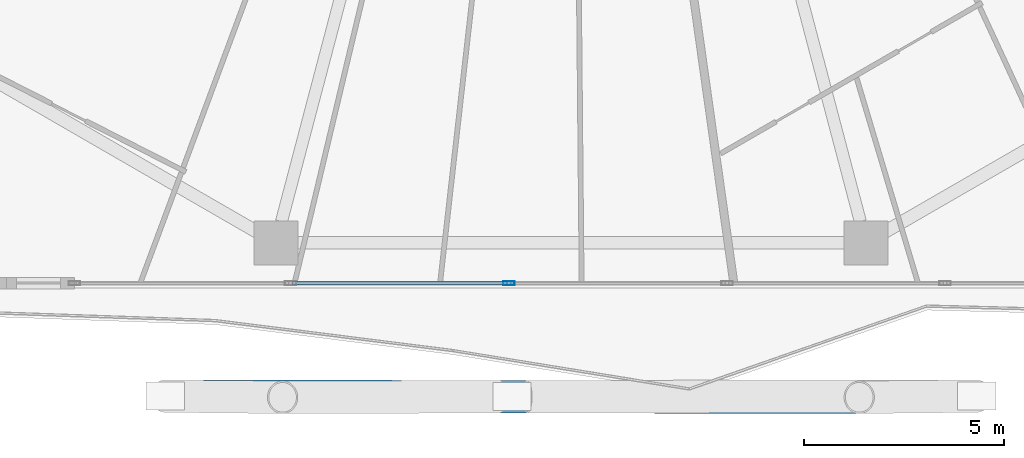
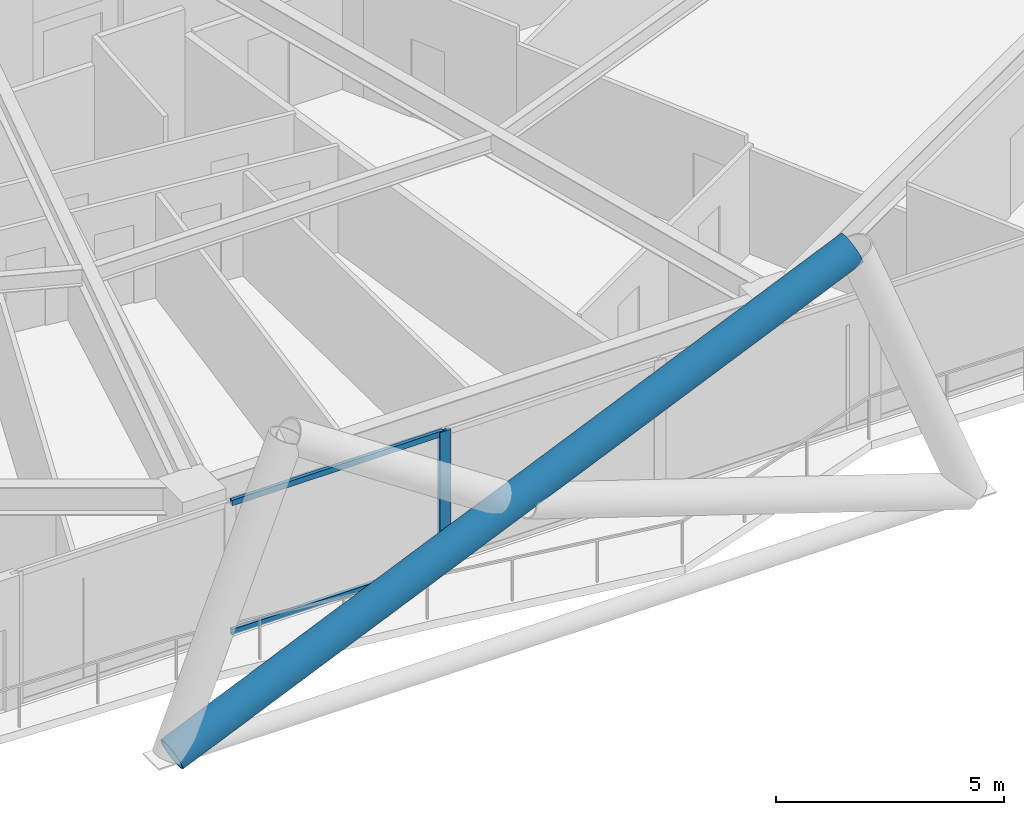
# One storey, part 4 of 35: 4 members, 1 element without a shape of its own.
"""IFC4 building model written with IfcOpenShell, lengths in metres."""

from ifc_helpers import new_model, si_unit, direction, frame, origin, origin_2d, place, context, subcontext, project, spatial, hollow_rectangle, hollow_circle, extrude, material, material_profile, profile_set, type_object, element, aggregate, save


model = new_model("IFC4")

# Units and contexts
model_context = context("Model", 3, precision=1e-05, world=origin(), true_north=direction((0.0, 1.0)))
body_context = subcontext(model_context, "Body", "Model", "MODEL_VIEW")
ifc_project = project(units=[si_unit("LENGTHUNIT", "METRE"), si_unit("AREAUNIT", "SQUARE_METRE"), si_unit("VOLUMEUNIT", "CUBIC_METRE"), si_unit("PLANEANGLEUNIT", "RADIAN"), si_unit("MASSUNIT", "GRAM", prefix="KILO")], contexts=[model_context])

# Site, building, storey
site_placement = place(None, origin())
site = spatial("IfcSite", under=ifc_project, at=site_placement, CompositionType="ELEMENT")
building_placement = place(site_placement, origin())
building = spatial("IfcBuilding", under=site, at=building_placement, Name="Zuhravey Tower", CompositionType="ELEMENT")
storey_placement = place(building_placement, frame((0.0, 0.0, 92.39990234375)))
storey = spatial("IfcBuildingStorey", under=building, at=storey_placement, Name="L22", CompositionType="ELEMENT", Elevation=92.39990234375)

# Curtain wall, members
ifc_material_1 = material(Name="Thermally broken anodised aluminium", Category="aluminium")
curtain_wall_type = type_object("IfcCurtainWallType", Name="Zone 1-2 Residential Curtain Wall CW3", PredefinedType="NOTDEFINED", material=ifc_material_1)
curtain_wall_placement = place(storey_placement, origin())
curtain_wall = element("IfcCurtainWall", 1, at=curtain_wall_placement, inside=storey, type_object=curtain_wall_type, Name="L22 CW3 CW-L22-F5-1", PredefinedType="NOTDEFINED")
ifc_material_2 = material(Name="Anodised aluminium", Category="aluminium")
ifc_material_profile_1 = material_profile(ifc_material_2, hollow_rectangle(XDim=0.090087890625, YDim=0.284912109375, WallThickness=0.0048828125, at=origin_2d()), Name="ALU-RHS-90x285x5")
ifc_profile_set_1 = profile_set([ifc_material_profile_1], Name="Anodised aluminium")
member_type_1 = type_object("IfcMemberType", Name="Curtain-Wall Mullion 90x180", PredefinedType="MULLION", material=ifc_profile_set_1)
member_1_placement = place(storey_placement, frame((34.4501953125, 3.04150390625, 0.0), z_axis=(0.0, 0.0, 1.0), x_axis=(0.0, -1.0, 0.0)))
member_1 = element("IfcMember", 2, at=member_1_placement, type_object=member_type_1, Name="CW3 mullion 4", PredefinedType="MULLION", context=body_context, shape_type="SweptSolid", body=[
    extrude(hollow_rectangle(XDim=0.090087890625, YDim=0.284912109375, WallThickness=0.0048828125, at=origin_2d()), origin(), (0.0, 0.0, 1.0), 3.550048828125),
])
ifc_material_profile_2 = material_profile(ifc_material_2, hollow_rectangle(XDim=0.090087890625, YDim=0.14990234375, WallThickness=0.0048828125, at=origin_2d()), Name="ALU-RHS-90x150x5")
ifc_profile_set_2 = profile_set([ifc_material_profile_2], Name="Anodised aluminium")
member_type_2 = type_object("IfcMemberType", Name="Curtain-Wall Transom 90x150", PredefinedType="USERDEFINED", material=ifc_profile_set_2)
member_2_placement = place(storey_placement, frame((34.405029296875, 3.04150390625, 0.045166015625), z_axis=(-1.0, 0.0, 0.0), x_axis=(0.0, -1.0, 0.0)))
member_2 = element("IfcMember", 3, at=member_2_placement, type_object=member_type_2, Name="CW3 transom 4.1", ObjectType="TRANSOM", PredefinedType="USERDEFINED", context=body_context, shape_type="SweptSolid", body=[
    extrude(hollow_rectangle(XDim=0.090087890625, YDim=0.14990234375, WallThickness=0.0048828125, at=origin_2d()), origin(), (0.0, 0.0, 1.0), 5.359619140625),
])
member_3_placement = place(storey_placement, frame((34.405029296875, 3.04150390625, 3.505126953125), z_axis=(-1.0, 0.0, 0.0), x_axis=(0.0, -1.0, 0.0)))
member_3 = element("IfcMember", 4, at=member_3_placement, type_object=member_type_2, Name="CW3 transom 4.2", ObjectType="TRANSOM", PredefinedType="USERDEFINED", context=body_context, shape_type="SweptSolid", body=[
    extrude(hollow_rectangle(XDim=0.090087890625, YDim=0.14990234375, WallThickness=0.0048828125, at=origin_2d()), origin(), (0.0, 0.0, 1.0), 5.359619140625),
])
aggregate(curtain_wall, [member_1, member_2, member_3])

# Member
ifc_material_3 = material(Name="Steel SM460", Category="steel")
ifc_material_profile_3 = material_profile(ifc_material_3, hollow_circle(Radius=0.406494140625, WallThickness=0.035888671875, at=origin_2d()), Name="CHS-812.8x36")
ifc_profile_set_3 = profile_set([ifc_material_profile_3], Name="Steel SM460")
member_type_3 = type_object("IfcMemberType", Name="Exoskeleton Zone 1 Diagrid CHS813x36", PredefinedType="BRACE", material=ifc_profile_set_3)
member_4_placement = place(storey_placement, frame((25.913330078125, 0.221435546875, -0.44189453125), z_axis=(0.915812767342, -0.001583104138, 0.401602376679), x_axis=(0.00172863038, 0.999998505917, 0.0)))
element("IfcMember", 5, at=member_4_placement, inside=storey, type_object=member_type_3, Name="L22 Face 5 Diagrid Brace 2", PredefinedType="BRACE", context=body_context, shape_type="SweptSolid", body=[
    extrude(hollow_circle(Radius=0.406494140625, WallThickness=0.035888671875, at=origin_2d()), origin(), (0.0, 0.0, 1.0), 18.814453125),
])

save(model, "model.ifc")
